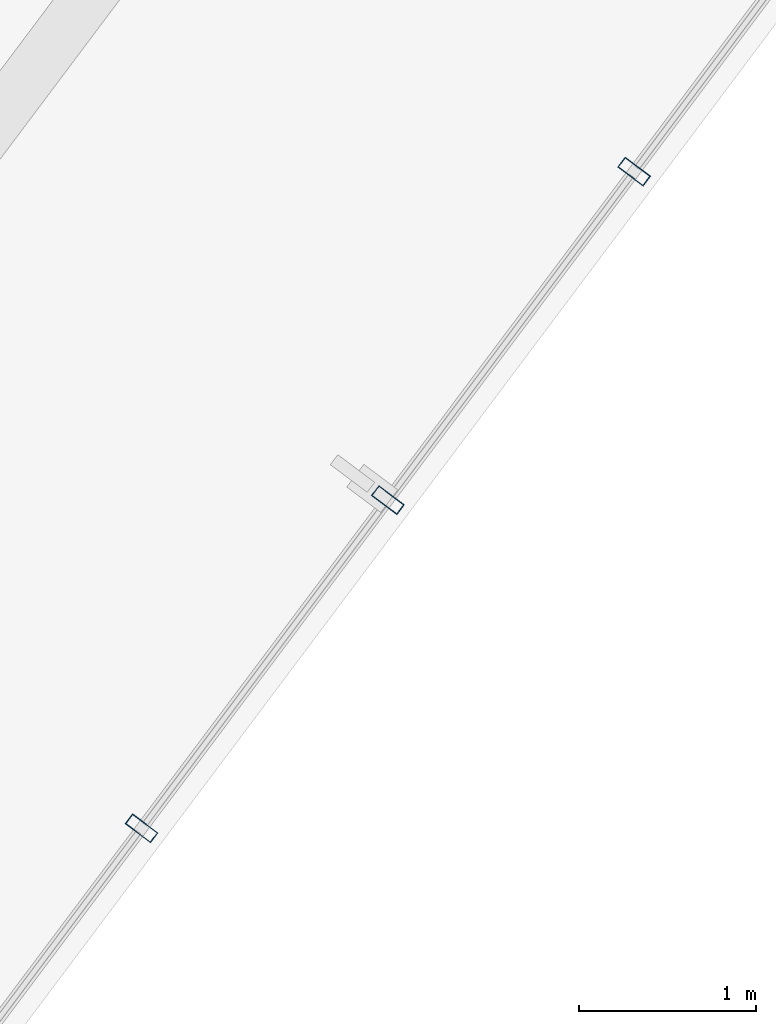
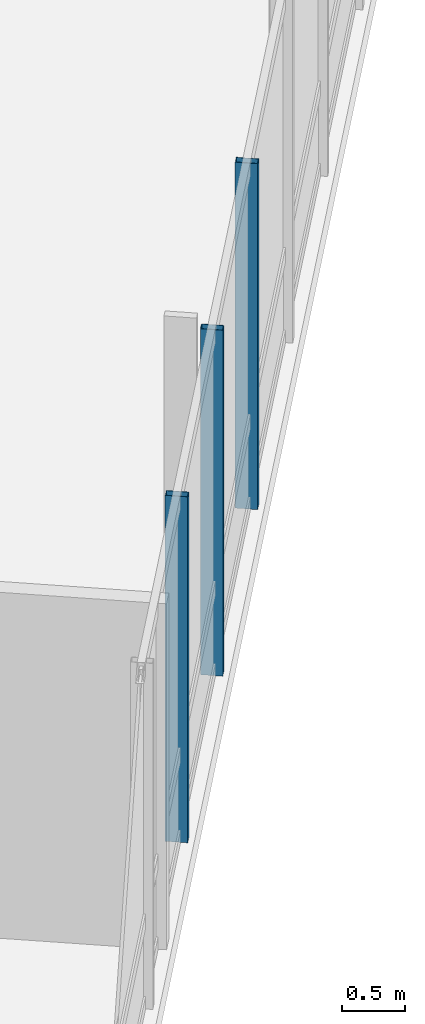
# One storey, part 11 of 25: 3 members, 1 element without a shape of its own.
"""IFC4 building model written with IfcOpenShell, lengths in metres."""

from ifc_helpers import new_model, si_unit, direction, frame, origin, origin_2d, place, context, subcontext, project, spatial, hollow_rectangle, extrude, material, layer, layer_set, material_profile, profile_set, type_object, element, aggregate, save


model = new_model("IFC4")

# Units and contexts
model_context = context("Model", 3, precision=1e-05, world=origin(), true_north=direction((0.0, 1.0)))
body_context = subcontext(model_context, "Body", "Model", "MODEL_VIEW")
ifc_project = project(units=[si_unit("LENGTHUNIT", "METRE"), si_unit("AREAUNIT", "SQUARE_METRE"), si_unit("VOLUMEUNIT", "CUBIC_METRE"), si_unit("PLANEANGLEUNIT", "RADIAN"), si_unit("MASSUNIT", "GRAM", prefix="KILO")], contexts=[model_context])

# Site, building, storey
site_placement = place(None, origin())
site = spatial("IfcSite", under=ifc_project, at=site_placement, CompositionType="ELEMENT")
building_placement = place(site_placement, origin())
building = spatial("IfcBuilding", under=site, at=building_placement, Name="Hatsunagi Terrace Concourse", CompositionType="ELEMENT")
storey_placement = place(building_placement, frame((0.0, 0.0, 205.949951171875)))
storey = spatial("IfcBuildingStorey", under=building, at=storey_placement, Name="L54", CompositionType="ELEMENT", Elevation=205.949951171875)

# Curtain wall, members
ifc_material_1 = material(Name="Anodised Aluminium Alloy 6063-T5", Category="aluminium")
ifc_layer = layer(ifc_material_1, 0.199951171875)
ifc_layer_set = layer_set([ifc_layer], Name="OfficeZone2_CW04")
curtain_wall_type = type_object("IfcCurtainWallType", Name="OfficeZone2_CW04", PredefinedType="NOTDEFINED", material=ifc_layer_set)
curtain_wall_placement = place(storey_placement, origin())
curtain_wall = element("IfcCurtainWall", 1, at=curtain_wall_placement, inside=storey, type_object=curtain_wall_type, Name="Unitised Curtain Wall CW-04 CW-L54-03", PredefinedType="NOTDEFINED")
ifc_material_2 = material(Name="Anodised Aluminium Alloy 6063-T5", Category="aluminium")
ifc_material_profile = material_profile(ifc_material_2, hollow_rectangle(XDim=0.070068359375, YDim=0.179931640625, WallThickness=0.00390625, at=origin_2d()), Name="ALU-MUL-180x70x4")
ifc_profile_set = profile_set([ifc_material_profile], Name="Anodised Aluminium Alloy 6063-T5")
member_type = type_object("IfcMemberType", Name="CurtainWallMullion_180x70", PredefinedType="MULLION", material=ifc_profile_set)
member_1_placement = place(storey_placement, frame((53.73193359375, 16.676025390625, 0.0), z_axis=(0.0, 0.0, 1.0), x_axis=(-0.599969314634, -0.800023013105, 0.0)))
member_1 = element("IfcMember", 2, at=member_1_placement, type_object=member_type, Name="Curtain Wall Mullion MUL-02", PredefinedType="MULLION", context=body_context, shape_type="SweptSolid", body=[
    extrude(hollow_rectangle(XDim=0.070068359375, YDim=0.179931640625, WallThickness=0.00390625, at=origin_2d()), origin(), (0.0, 0.0, 1.0), 3.35009765625),
])
member_2_placement = place(storey_placement, frame((52.340087890625, 14.819091796875, 0.0), z_axis=(0.0, 0.0, 1.0), x_axis=(-0.599969314634, -0.800023013105, 0.0)))
member_2 = element("IfcMember", 3, at=member_2_placement, type_object=member_type, Name="Curtain Wall Mullion MUL-02", PredefinedType="MULLION", context=body_context, shape_type="SweptSolid", body=[
    extrude(hollow_rectangle(XDim=0.070068359375, YDim=0.179931640625, WallThickness=0.00390625, at=origin_2d()), origin(), (0.0, 0.0, 1.0), 3.35009765625),
])
member_3_placement = place(storey_placement, frame((50.947021484375, 12.962890625, 0.0), z_axis=(0.0, 0.0, 1.0), x_axis=(-0.599969314634, -0.800023013105, 0.0)))
member_3 = element("IfcMember", 4, at=member_3_placement, type_object=member_type, Name="Curtain Wall Mullion MUL-02", PredefinedType="MULLION", context=body_context, shape_type="SweptSolid", body=[
    extrude(hollow_rectangle(XDim=0.070068359375, YDim=0.179931640625, WallThickness=0.00390625, at=origin_2d()), origin(), (0.0, 0.0, 1.0), 3.35009765625),
])
aggregate(curtain_wall, [member_1, member_2, member_3])

save(model, "model.ifc")
